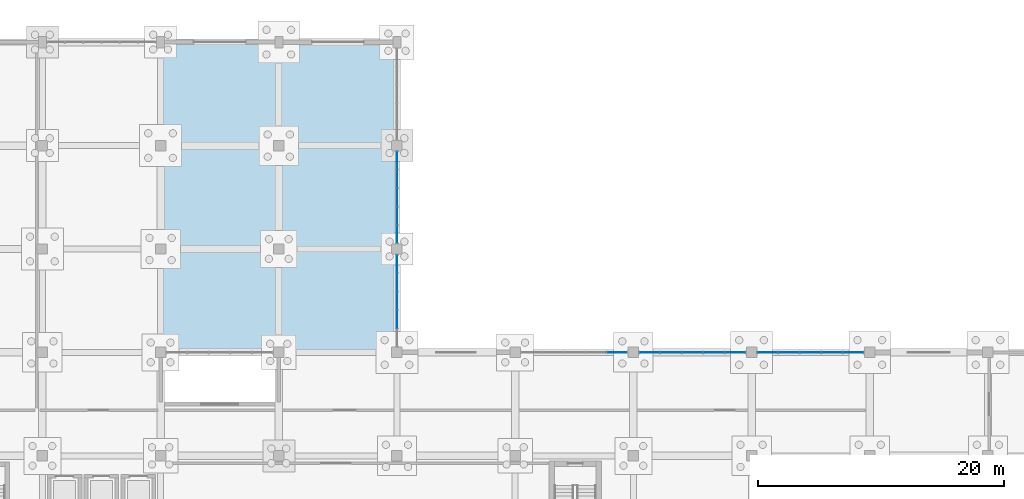
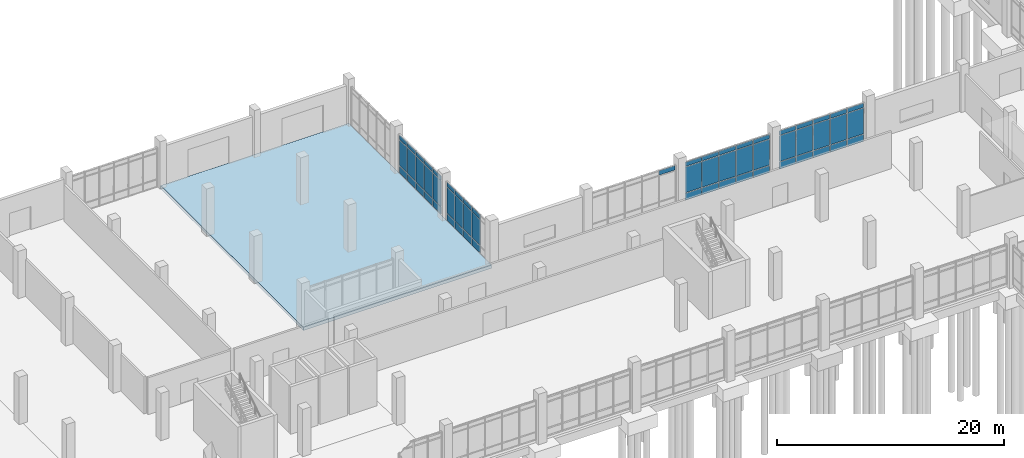
# One storey, part 81 of 136: 58 plates, 1 slab, 5 elements without a shape of their own.
"""IFC4 building model written with IfcOpenShell, lengths in metres."""

from ifc_helpers import new_model, si_unit, direction, frame, origin, origin_2d, place, context, subcontext, project, spatial, polyline, rectangle, outline, extrude, material, layer, layer_set, type_object, element, aggregate, save


model = new_model("IFC4")

# Units and contexts
model_context = context("Model", 3, precision=1e-05, world=origin(), true_north=direction((0.0, 1.0)))
body_context = subcontext(model_context, "Body", "Model", "MODEL_VIEW")
ifc_project = project(units=[si_unit("LENGTHUNIT", "METRE"), si_unit("AREAUNIT", "SQUARE_METRE"), si_unit("VOLUMEUNIT", "CUBIC_METRE"), si_unit("PLANEANGLEUNIT", "RADIAN"), si_unit("MASSUNIT", "GRAM", prefix="KILO")], contexts=[model_context])

# Site, building, storey
site_placement = place(None, origin())
site = spatial("IfcSite", under=ifc_project, at=site_placement, CompositionType="ELEMENT")
building_placement = place(site_placement, origin())
building = spatial("IfcBuilding", under=site, at=building_placement, Name="Oolite Switchyard Hospital", CompositionType="ELEMENT")
storey_placement = place(building_placement, origin())
storey = spatial("IfcBuildingStorey", under=building, at=storey_placement, Name="L00", CompositionType="ELEMENT", Elevation=0.0)

# Curtain wall, plates
ifc_material_1 = material(Name="Thermally broken aluminum frame with laminated impact glazing", Category="aluminium")
curtain_wall_type_1 = type_object("IfcCurtainWallType", Name="CW-UNIT-96X51", PredefinedType="USERDEFINED", material=ifc_material_1)
curtain_wall_1_placement = place(storey_placement, origin())
curtain_wall_1 = element("IfcCurtainWall", 1, at=curtain_wall_1_placement, inside=storey, type_object=curtain_wall_type_1, Name="L00 Unitised Curtain Wall 43", ObjectType="UNITISED", PredefinedType="USERDEFINED")
ifc_material_2 = material(Name="Insulated fluoropolymer-coated aluminum spandrel panel", Category="aluminium")
ifc_layer_1 = layer(ifc_material_2, 0.054931640625)
ifc_layer_set_1 = layer_set([ifc_layer_1], Name="CW-PNL-SPN55")
plate_type_1 = type_object("IfcPlateType", Name="CW-PNL-SPN55", PredefinedType="CURTAIN_PANEL", material=ifc_layer_set_1)
plate_1_placement = place(storey_placement, frame((97.32958984375, 109.199951171875, 0.0751953125), z_axis=(0.0, 0.0, 1.0), x_axis=(1.0, 0.0, 0.0)))
plate_1 = element("IfcPlate", 2, at=plate_1_placement, type_object=plate_type_1, Name="CW-01 panel 1.1", PredefinedType="CURTAIN_PANEL", context=body_context, shape_type="SweptSolid", body=[
    extrude(rectangle(XDim=1.638916015625, YDim=0.054931640625, at=origin_2d()), origin(), (0.0, 0.0, 1.0), 0.737548828125),
])
plate_2_placement = place(storey_placement, frame((97.32958984375, 109.199951171875, 0.8876953125), z_axis=(0.0, 0.0, 1.0), x_axis=(1.0, 0.0, 0.0)))
plate_2 = element("IfcPlate", 3, at=plate_2_placement, type_object=plate_type_1, Name="CW-01 panel 1.2", PredefinedType="CURTAIN_PANEL", context=body_context, shape_type="SweptSolid", body=[
    extrude(rectangle(XDim=1.638916015625, YDim=0.054931640625, at=origin_2d()), origin(), (0.0, 0.0, 1.0), 2.764892578125),
])
plate_3_placement = place(storey_placement, frame((97.32958984375, 109.199951171875, 3.7275390625), z_axis=(0.0, 0.0, 1.0), x_axis=(1.0, 0.0, 0.0)))
plate_3 = element("IfcPlate", 4, at=plate_3_placement, type_object=plate_type_1, Name="CW-01 panel 1.3", PredefinedType="CURTAIN_PANEL", context=body_context, shape_type="SweptSolid", body=[
    extrude(rectangle(XDim=1.638916015625, YDim=0.054931640625, at=origin_2d()), origin(), (0.0, 0.0, 1.0), 0.4375),
])
plate_4_placement = place(storey_placement, frame((99.055908203125, 109.199951171875, 0.0751953125), z_axis=(0.0, 0.0, 1.0), x_axis=(1.0, 0.0, 0.0)))
plate_4 = element("IfcPlate", 5, at=plate_4_placement, type_object=plate_type_1, Name="CW-01 panel 2.1", PredefinedType="CURTAIN_PANEL", context=body_context, shape_type="SweptSolid", body=[
    extrude(rectangle(XDim=1.674072265625, YDim=0.054931640625, at=origin_2d()), origin(), (0.0, 0.0, 1.0), 0.737548828125),
])
plate_5_placement = place(storey_placement, frame((99.055908203125, 109.199951171875, 0.8876953125), z_axis=(0.0, 0.0, 1.0), x_axis=(1.0, 0.0, 0.0)))
plate_5 = element("IfcPlate", 6, at=plate_5_placement, type_object=plate_type_1, Name="CW-01 panel 2.2", PredefinedType="CURTAIN_PANEL", context=body_context, shape_type="SweptSolid", body=[
    extrude(rectangle(XDim=1.674072265625, YDim=0.054931640625, at=origin_2d()), origin(), (0.0, 0.0, 1.0), 2.764892578125),
])
plate_6_placement = place(storey_placement, frame((99.055908203125, 109.199951171875, 3.7275390625), z_axis=(0.0, 0.0, 1.0), x_axis=(1.0, 0.0, 0.0)))
plate_6 = element("IfcPlate", 7, at=plate_6_placement, type_object=plate_type_1, Name="CW-01 panel 2.3", PredefinedType="CURTAIN_PANEL", context=body_context, shape_type="SweptSolid", body=[
    extrude(rectangle(XDim=1.674072265625, YDim=0.054931640625, at=origin_2d()), origin(), (0.0, 0.0, 1.0), 0.4375),
])
plate_7_placement = place(storey_placement, frame((100.800048828125, 109.199951171875, 0.0751953125), z_axis=(0.0, 0.0, 1.0), x_axis=(1.0, 0.0, 0.0)))
plate_7 = element("IfcPlate", 8, at=plate_7_placement, type_object=plate_type_1, Name="CW-01 panel 3.1", PredefinedType="CURTAIN_PANEL", context=body_context, shape_type="SweptSolid", body=[
    extrude(rectangle(XDim=1.674072265625, YDim=0.054931640625, at=origin_2d()), origin(), (0.0, 0.0, 1.0), 0.737548828125),
])
plate_8_placement = place(storey_placement, frame((100.800048828125, 109.199951171875, 0.8876953125), z_axis=(0.0, 0.0, 1.0), x_axis=(1.0, 0.0, 0.0)))
plate_8 = element("IfcPlate", 9, at=plate_8_placement, type_object=plate_type_1, Name="CW-01 panel 3.2", PredefinedType="CURTAIN_PANEL", context=body_context, shape_type="SweptSolid", body=[
    extrude(rectangle(XDim=1.674072265625, YDim=0.054931640625, at=origin_2d()), origin(), (0.0, 0.0, 1.0), 2.764892578125),
])
plate_9_placement = place(storey_placement, frame((100.800048828125, 109.199951171875, 3.7275390625), z_axis=(0.0, 0.0, 1.0), x_axis=(1.0, 0.0, 0.0)))
plate_9 = element("IfcPlate", 10, at=plate_9_placement, type_object=plate_type_1, Name="CW-01 panel 3.3", PredefinedType="CURTAIN_PANEL", context=body_context, shape_type="SweptSolid", body=[
    extrude(rectangle(XDim=1.674072265625, YDim=0.054931640625, at=origin_2d()), origin(), (0.0, 0.0, 1.0), 0.4375),
])
plate_10_placement = place(storey_placement, frame((102.5439453125, 109.199951171875, 0.0751953125), z_axis=(0.0, 0.0, 1.0), x_axis=(1.0, 0.0, 0.0)))
plate_10 = element("IfcPlate", 11, at=plate_10_placement, type_object=plate_type_1, Name="CW-01 panel 4.1", PredefinedType="CURTAIN_PANEL", context=body_context, shape_type="SweptSolid", body=[
    extrude(rectangle(XDim=1.674072265625, YDim=0.054931640625, at=origin_2d()), origin(), (0.0, 0.0, 1.0), 0.737548828125),
])
plate_11_placement = place(storey_placement, frame((102.5439453125, 109.199951171875, 0.8876953125), z_axis=(0.0, 0.0, 1.0), x_axis=(1.0, 0.0, 0.0)))
plate_11 = element("IfcPlate", 12, at=plate_11_placement, type_object=plate_type_1, Name="CW-01 panel 4.2", PredefinedType="CURTAIN_PANEL", context=body_context, shape_type="SweptSolid", body=[
    extrude(rectangle(XDim=1.674072265625, YDim=0.054931640625, at=origin_2d()), origin(), (0.0, 0.0, 1.0), 2.764892578125),
])
plate_12_placement = place(storey_placement, frame((102.5439453125, 109.199951171875, 3.7275390625), z_axis=(0.0, 0.0, 1.0), x_axis=(1.0, 0.0, 0.0)))
plate_12 = element("IfcPlate", 13, at=plate_12_placement, type_object=plate_type_1, Name="CW-01 panel 4.3", PredefinedType="CURTAIN_PANEL", context=body_context, shape_type="SweptSolid", body=[
    extrude(rectangle(XDim=1.674072265625, YDim=0.054931640625, at=origin_2d()), origin(), (0.0, 0.0, 1.0), 0.4375),
])
plate_13_placement = place(storey_placement, frame((104.2705078125, 109.199951171875, 0.0751953125), z_axis=(0.0, 0.0, 1.0), x_axis=(1.0, 0.0, 0.0)))
plate_13 = element("IfcPlate", 14, at=plate_13_placement, type_object=plate_type_1, Name="CW-01 panel 5.1", PredefinedType="CURTAIN_PANEL", context=body_context, shape_type="SweptSolid", body=[
    extrude(rectangle(XDim=1.638916015625, YDim=0.054931640625, at=origin_2d()), origin(), (0.0, 0.0, 1.0), 0.737548828125),
])
plate_14_placement = place(storey_placement, frame((104.2705078125, 109.199951171875, 0.8876953125), z_axis=(0.0, 0.0, 1.0), x_axis=(1.0, 0.0, 0.0)))
plate_14 = element("IfcPlate", 15, at=plate_14_placement, type_object=plate_type_1, Name="CW-01 panel 5.2", PredefinedType="CURTAIN_PANEL", context=body_context, shape_type="SweptSolid", body=[
    extrude(rectangle(XDim=1.638916015625, YDim=0.054931640625, at=origin_2d()), origin(), (0.0, 0.0, 1.0), 2.764892578125),
])
plate_15_placement = place(storey_placement, frame((104.2705078125, 109.199951171875, 3.7275390625), z_axis=(0.0, 0.0, 1.0), x_axis=(1.0, 0.0, 0.0)))
plate_15 = element("IfcPlate", 16, at=plate_15_placement, type_object=plate_type_1, Name="CW-01 panel 5.3", PredefinedType="CURTAIN_PANEL", context=body_context, shape_type="SweptSolid", body=[
    extrude(rectangle(XDim=1.638916015625, YDim=0.054931640625, at=origin_2d()), origin(), (0.0, 0.0, 1.0), 0.4375),
])
aggregate(curtain_wall_1, [plate_1, plate_2, plate_3, plate_4, plate_5, plate_6, plate_7, plate_8, plate_9, plate_10, plate_11, plate_12, plate_13, plate_14, plate_15])

curtain_wall_2_placement = place(storey_placement, origin())
curtain_wall_2 = element("IfcCurtainWall", 17, at=curtain_wall_2_placement, inside=storey, type_object=curtain_wall_type_1, Name="L00 Unitised Curtain Wall 44", ObjectType="UNITISED", PredefinedType="USERDEFINED")
ifc_material_3 = material(Name="Laminated hurricane-impact insulated glazing unit", Category="glass")
ifc_layer_2 = layer(ifc_material_3, 0.028076171875)
ifc_layer_set_2 = layer_set([ifc_layer_2], Name="CW-PNL-VIS28")
plate_type_2 = type_object("IfcPlateType", Name="CW-PNL-VIS28", PredefinedType="CURTAIN_PANEL", material=ifc_layer_set_2)
plate_16_placement = place(storey_placement, frame((106.9306640625, 109.199951171875, 0.06005859375), z_axis=(0.0, 0.0, 1.0), x_axis=(1.0, 0.0, 0.0)))
plate_16 = element("IfcPlate", 18, at=plate_16_placement, type_object=plate_type_2, Name="CW-01 panel 1.1", PredefinedType="CURTAIN_PANEL", context=body_context, shape_type="SweptSolid", body=[
    extrude(rectangle(XDim=1.631591796875, YDim=0.028076171875, at=origin_2d()), origin(), (0.0, 0.0, 1.0), 0.760009765625),
])
plate_17_placement = place(storey_placement, frame((106.9306640625, 109.199951171875, 0.8798828125), z_axis=(0.0, 0.0, 1.0), x_axis=(1.0, 0.0, 0.0)))
plate_17 = element("IfcPlate", 19, at=plate_17_placement, type_object=plate_type_2, Name="CW-01 panel 1.2", PredefinedType="CURTAIN_PANEL", context=body_context, shape_type="SweptSolid", body=[
    extrude(rectangle(XDim=1.631591796875, YDim=0.028076171875, at=origin_2d()), origin(), (0.0, 0.0, 1.0), 2.780029296875),
])
plate_18_placement = place(storey_placement, frame((106.9306640625, 109.199951171875, 3.719970703125), z_axis=(0.0, 0.0, 1.0), x_axis=(1.0, 0.0, 0.0)))
plate_18 = element("IfcPlate", 20, at=plate_18_placement, type_object=plate_type_2, Name="CW-01 panel 1.3", PredefinedType="CURTAIN_PANEL", context=body_context, shape_type="SweptSolid", body=[
    extrude(rectangle(XDim=1.631591796875, YDim=0.028076171875, at=origin_2d()), origin(), (0.0, 0.0, 1.0), 0.4599609375),
])
plate_19_placement = place(storey_placement, frame((108.656005859375, 109.199951171875, 0.06005859375), z_axis=(0.0, 0.0, 1.0), x_axis=(1.0, 0.0, 0.0)))
plate_19 = element("IfcPlate", 21, at=plate_19_placement, type_object=plate_type_2, Name="CW-01 panel 2.1", PredefinedType="CURTAIN_PANEL", context=body_context, shape_type="SweptSolid", body=[
    extrude(rectangle(XDim=1.6689453125, YDim=0.028076171875, at=origin_2d()), origin(), (0.0, 0.0, 1.0), 0.760009765625),
])
plate_20_placement = place(storey_placement, frame((108.656005859375, 109.199951171875, 0.8798828125), z_axis=(0.0, 0.0, 1.0), x_axis=(1.0, 0.0, 0.0)))
plate_20 = element("IfcPlate", 22, at=plate_20_placement, type_object=plate_type_2, Name="CW-01 panel 2.2", PredefinedType="CURTAIN_PANEL", context=body_context, shape_type="SweptSolid", body=[
    extrude(rectangle(XDim=1.6689453125, YDim=0.028076171875, at=origin_2d()), origin(), (0.0, 0.0, 1.0), 2.780029296875),
])
plate_21_placement = place(storey_placement, frame((108.656005859375, 109.199951171875, 3.719970703125), z_axis=(0.0, 0.0, 1.0), x_axis=(1.0, 0.0, 0.0)))
plate_21 = element("IfcPlate", 23, at=plate_21_placement, type_object=plate_type_2, Name="CW-01 panel 2.3", PredefinedType="CURTAIN_PANEL", context=body_context, shape_type="SweptSolid", body=[
    extrude(rectangle(XDim=1.6689453125, YDim=0.028076171875, at=origin_2d()), origin(), (0.0, 0.0, 1.0), 0.4599609375),
])
plate_22_placement = place(storey_placement, frame((110.39990234375, 109.199951171875, 0.06005859375), z_axis=(0.0, 0.0, 1.0), x_axis=(1.0, 0.0, 0.0)))
plate_22 = element("IfcPlate", 24, at=plate_22_placement, type_object=plate_type_2, Name="CW-01 panel 3.1", PredefinedType="CURTAIN_PANEL", context=body_context, shape_type="SweptSolid", body=[
    extrude(rectangle(XDim=1.6689453125, YDim=0.028076171875, at=origin_2d()), origin(), (0.0, 0.0, 1.0), 0.760009765625),
])
plate_23_placement = place(storey_placement, frame((110.39990234375, 109.199951171875, 0.8798828125), z_axis=(0.0, 0.0, 1.0), x_axis=(1.0, 0.0, 0.0)))
plate_23 = element("IfcPlate", 25, at=plate_23_placement, type_object=plate_type_2, Name="CW-01 panel 3.2", PredefinedType="CURTAIN_PANEL", context=body_context, shape_type="SweptSolid", body=[
    extrude(rectangle(XDim=1.6689453125, YDim=0.028076171875, at=origin_2d()), origin(), (0.0, 0.0, 1.0), 2.780029296875),
])
plate_24_placement = place(storey_placement, frame((110.39990234375, 109.199951171875, 3.719970703125), z_axis=(0.0, 0.0, 1.0), x_axis=(1.0, 0.0, 0.0)))
plate_24 = element("IfcPlate", 26, at=plate_24_placement, type_object=plate_type_2, Name="CW-01 panel 3.3", PredefinedType="CURTAIN_PANEL", context=body_context, shape_type="SweptSolid", body=[
    extrude(rectangle(XDim=1.6689453125, YDim=0.028076171875, at=origin_2d()), origin(), (0.0, 0.0, 1.0), 0.4599609375),
])
plate_25_placement = place(storey_placement, frame((112.14404296875, 109.199951171875, 0.06005859375), z_axis=(0.0, 0.0, 1.0), x_axis=(1.0, 0.0, 0.0)))
plate_25 = element("IfcPlate", 27, at=plate_25_placement, type_object=plate_type_2, Name="CW-01 panel 4.1", PredefinedType="CURTAIN_PANEL", context=body_context, shape_type="SweptSolid", body=[
    extrude(rectangle(XDim=1.6689453125, YDim=0.028076171875, at=origin_2d()), origin(), (0.0, 0.0, 1.0), 0.760009765625),
])
plate_26_placement = place(storey_placement, frame((112.14404296875, 109.199951171875, 0.8798828125), z_axis=(0.0, 0.0, 1.0), x_axis=(1.0, 0.0, 0.0)))
plate_26 = element("IfcPlate", 28, at=plate_26_placement, type_object=plate_type_2, Name="CW-01 panel 4.2", PredefinedType="CURTAIN_PANEL", context=body_context, shape_type="SweptSolid", body=[
    extrude(rectangle(XDim=1.6689453125, YDim=0.028076171875, at=origin_2d()), origin(), (0.0, 0.0, 1.0), 2.780029296875),
])
plate_27_placement = place(storey_placement, frame((112.14404296875, 109.199951171875, 3.719970703125), z_axis=(0.0, 0.0, 1.0), x_axis=(1.0, 0.0, 0.0)))
plate_27 = element("IfcPlate", 29, at=plate_27_placement, type_object=plate_type_2, Name="CW-01 panel 4.3", PredefinedType="CURTAIN_PANEL", context=body_context, shape_type="SweptSolid", body=[
    extrude(rectangle(XDim=1.6689453125, YDim=0.028076171875, at=origin_2d()), origin(), (0.0, 0.0, 1.0), 0.4599609375),
])
plate_28_placement = place(storey_placement, frame((113.869140625, 109.199951171875, 0.06005859375), z_axis=(0.0, 0.0, 1.0), x_axis=(1.0, 0.0, 0.0)))
plate_28 = element("IfcPlate", 30, at=plate_28_placement, type_object=plate_type_2, Name="CW-01 panel 5.1", PredefinedType="CURTAIN_PANEL", context=body_context, shape_type="SweptSolid", body=[
    extrude(rectangle(XDim=1.631591796875, YDim=0.028076171875, at=origin_2d()), origin(), (0.0, 0.0, 1.0), 0.760009765625),
])
plate_29_placement = place(storey_placement, frame((113.869140625, 109.199951171875, 0.8798828125), z_axis=(0.0, 0.0, 1.0), x_axis=(1.0, 0.0, 0.0)))
plate_29 = element("IfcPlate", 31, at=plate_29_placement, type_object=plate_type_2, Name="CW-01 panel 5.2", PredefinedType="CURTAIN_PANEL", context=body_context, shape_type="SweptSolid", body=[
    extrude(rectangle(XDim=1.631591796875, YDim=0.028076171875, at=origin_2d()), origin(), (0.0, 0.0, 1.0), 2.780029296875),
])
plate_30_placement = place(storey_placement, frame((113.869140625, 109.199951171875, 3.719970703125), z_axis=(0.0, 0.0, 1.0), x_axis=(1.0, 0.0, 0.0)))
plate_30 = element("IfcPlate", 32, at=plate_30_placement, type_object=plate_type_2, Name="CW-01 panel 5.3", PredefinedType="CURTAIN_PANEL", context=body_context, shape_type="SweptSolid", body=[
    extrude(rectangle(XDim=1.631591796875, YDim=0.028076171875, at=origin_2d()), origin(), (0.0, 0.0, 1.0), 0.4599609375),
])
aggregate(curtain_wall_2, [plate_16, plate_17, plate_18, plate_19, plate_20, plate_21, plate_22, plate_23, plate_24, plate_25, plate_26, plate_27, plate_28, plate_29, plate_30])

curtain_wall_type_2 = type_object("IfcCurtainWallType", Name="CW-UNIT-84X51", PredefinedType="USERDEFINED", material=ifc_material_1)
curtain_wall_3_placement = place(storey_placement, origin())
curtain_wall_3 = element("IfcCurtainWall", 33, at=curtain_wall_3_placement, inside=storey, type_object=curtain_wall_type_2, Name="L00 Unitised Curtain Wall 64", ObjectType="UNITISED", PredefinedType="USERDEFINED")
plate_31_placement = place(storey_placement, frame((76.800048828125, 116.390380859375, 0.06005859375), z_axis=(0.0, 0.0, 1.0), x_axis=(0.0, -1.0, 0.0)))
plate_31 = element("IfcPlate", 34, at=plate_31_placement, type_object=plate_type_2, Name="CW-06 panel 1.1", PredefinedType="CURTAIN_PANEL", context=body_context, shape_type="SweptSolid", body=[
    extrude(rectangle(XDim=1.39892578125, YDim=0.028076171875, at=origin_2d()), origin(), (0.0, 0.0, 1.0), 0.760009765625),
])
plate_32_placement = place(storey_placement, frame((76.800048828125, 116.390380859375, 0.8798828125), z_axis=(0.0, 0.0, 1.0), x_axis=(0.0, -1.0, 0.0)))
plate_32 = element("IfcPlate", 35, at=plate_32_placement, type_object=plate_type_2, Name="CW-06 panel 1.2", PredefinedType="CURTAIN_PANEL", context=body_context, shape_type="SweptSolid", body=[
    extrude(rectangle(XDim=1.39892578125, YDim=0.028076171875, at=origin_2d()), origin(), (0.0, 0.0, 1.0), 2.780029296875),
])
plate_33_placement = place(storey_placement, frame((76.800048828125, 116.390380859375, 3.719970703125), z_axis=(0.0, 0.0, 1.0), x_axis=(0.0, -1.0, 0.0)))
plate_33 = element("IfcPlate", 36, at=plate_33_placement, type_object=plate_type_2, Name="CW-06 panel 1.3", PredefinedType="CURTAIN_PANEL", context=body_context, shape_type="SweptSolid", body=[
    extrude(rectangle(XDim=1.39892578125, YDim=0.028076171875, at=origin_2d()), origin(), (0.0, 0.0, 1.0), 0.4599609375),
])
plate_34_placement = place(storey_placement, frame((76.800048828125, 114.904052734375, 0.06005859375), z_axis=(0.0, 0.0, 1.0), x_axis=(0.0, -1.0, 0.0)))
plate_34 = element("IfcPlate", 37, at=plate_34_placement, type_object=plate_type_2, Name="CW-06 panel 2.1", PredefinedType="CURTAIN_PANEL", context=body_context, shape_type="SweptSolid", body=[
    extrude(rectangle(XDim=1.43408203125, YDim=0.028076171875, at=origin_2d()), origin(), (0.0, 0.0, 1.0), 0.760009765625),
])
plate_35_placement = place(storey_placement, frame((76.800048828125, 114.904052734375, 0.8798828125), z_axis=(0.0, 0.0, 1.0), x_axis=(0.0, -1.0, 0.0)))
plate_35 = element("IfcPlate", 38, at=plate_35_placement, type_object=plate_type_2, Name="CW-06 panel 2.2", PredefinedType="CURTAIN_PANEL", context=body_context, shape_type="SweptSolid", body=[
    extrude(rectangle(XDim=1.43408203125, YDim=0.028076171875, at=origin_2d()), origin(), (0.0, 0.0, 1.0), 2.780029296875),
])
plate_36_placement = place(storey_placement, frame((76.800048828125, 114.904052734375, 3.719970703125), z_axis=(0.0, 0.0, 1.0), x_axis=(0.0, -1.0, 0.0)))
plate_36 = element("IfcPlate", 39, at=plate_36_placement, type_object=plate_type_2, Name="CW-06 panel 2.3", PredefinedType="CURTAIN_PANEL", context=body_context, shape_type="SweptSolid", body=[
    extrude(rectangle(XDim=1.43408203125, YDim=0.028076171875, at=origin_2d()), origin(), (0.0, 0.0, 1.0), 0.4599609375),
])
plate_37_placement = place(storey_placement, frame((76.800048828125, 113.39990234375, 0.06005859375), z_axis=(0.0, 0.0, 1.0), x_axis=(0.0, -1.0, 0.0)))
plate_37 = element("IfcPlate", 40, at=plate_37_placement, type_object=plate_type_2, Name="CW-06 panel 3.1", PredefinedType="CURTAIN_PANEL", context=body_context, shape_type="SweptSolid", body=[
    extrude(rectangle(XDim=1.43408203125, YDim=0.028076171875, at=origin_2d()), origin(), (0.0, 0.0, 1.0), 0.760009765625),
])
plate_38_placement = place(storey_placement, frame((76.800048828125, 113.39990234375, 0.8798828125), z_axis=(0.0, 0.0, 1.0), x_axis=(0.0, -1.0, 0.0)))
plate_38 = element("IfcPlate", 41, at=plate_38_placement, type_object=plate_type_2, Name="CW-06 panel 3.2", PredefinedType="CURTAIN_PANEL", context=body_context, shape_type="SweptSolid", body=[
    extrude(rectangle(XDim=1.43408203125, YDim=0.028076171875, at=origin_2d()), origin(), (0.0, 0.0, 1.0), 2.780029296875),
])
plate_39_placement = place(storey_placement, frame((76.800048828125, 113.39990234375, 3.719970703125), z_axis=(0.0, 0.0, 1.0), x_axis=(0.0, -1.0, 0.0)))
plate_39 = element("IfcPlate", 42, at=plate_39_placement, type_object=plate_type_2, Name="CW-06 panel 3.3", PredefinedType="CURTAIN_PANEL", context=body_context, shape_type="SweptSolid", body=[
    extrude(rectangle(XDim=1.43408203125, YDim=0.028076171875, at=origin_2d()), origin(), (0.0, 0.0, 1.0), 0.4599609375),
])
plate_40_placement = place(storey_placement, frame((76.800048828125, 111.89599609375, 0.06005859375), z_axis=(0.0, 0.0, 1.0), x_axis=(0.0, -1.0, 0.0)))
plate_40 = element("IfcPlate", 43, at=plate_40_placement, type_object=plate_type_2, Name="CW-06 panel 4.1", PredefinedType="CURTAIN_PANEL", context=body_context, shape_type="SweptSolid", body=[
    extrude(rectangle(XDim=1.43408203125, YDim=0.028076171875, at=origin_2d()), origin(), (0.0, 0.0, 1.0), 0.760009765625),
])
plate_41_placement = place(storey_placement, frame((76.800048828125, 111.89599609375, 0.8798828125), z_axis=(0.0, 0.0, 1.0), x_axis=(0.0, -1.0, 0.0)))
plate_41 = element("IfcPlate", 44, at=plate_41_placement, type_object=plate_type_2, Name="CW-06 panel 4.2", PredefinedType="CURTAIN_PANEL", context=body_context, shape_type="SweptSolid", body=[
    extrude(rectangle(XDim=1.43408203125, YDim=0.028076171875, at=origin_2d()), origin(), (0.0, 0.0, 1.0), 2.780029296875),
])
plate_42_placement = place(storey_placement, frame((76.800048828125, 111.89599609375, 3.719970703125), z_axis=(0.0, 0.0, 1.0), x_axis=(0.0, -1.0, 0.0)))
plate_42 = element("IfcPlate", 45, at=plate_42_placement, type_object=plate_type_2, Name="CW-06 panel 4.3", PredefinedType="CURTAIN_PANEL", context=body_context, shape_type="SweptSolid", body=[
    extrude(rectangle(XDim=1.43408203125, YDim=0.028076171875, at=origin_2d()), origin(), (0.0, 0.0, 1.0), 0.4599609375),
])
aggregate(curtain_wall_3, [plate_31, plate_32, plate_33, plate_34, plate_35, plate_36, plate_37, plate_38, plate_39, plate_40, plate_41, plate_42])

# Curtain wall, plate
curtain_wall_4_placement = place(storey_placement, origin())
curtain_wall_4 = element("IfcCurtainWall", 46, at=curtain_wall_4_placement, inside=storey, type_object=curtain_wall_type_1, Name="L00 Unitised Curtain Wall 42", ObjectType="UNITISED", PredefinedType="USERDEFINED")
ifc_layer_3 = layer(ifc_material_3, 0.035888671875)
ifc_layer_set_3 = layer_set([ifc_layer_3], Name="CW-PNL-VIS36")
plate_type_3 = type_object("IfcPlateType", Name="CW-PNL-VIS36", PredefinedType="CURTAIN_PANEL", material=ifc_layer_set_3)
plate_43_placement = place(storey_placement, frame((94.673095703125, 109.199951171875, 3.719970703125), z_axis=(0.0, 0.0, 1.0), x_axis=(1.0, 0.0, 0.0)))
plate_43 = element("IfcPlate", 47, at=plate_43_placement, type_object=plate_type_3, Name="CW-01 panel 5.3", PredefinedType="CURTAIN_PANEL", context=body_context, shape_type="SweptSolid", body=[
    extrude(rectangle(XDim=1.654052734375, YDim=0.035888671875, at=origin_2d()), origin(), (0.0, 0.0, 1.0), 0.4599609375),
])
aggregate(curtain_wall_4, [plate_43])

# Curtain wall, plates
curtain_wall_5_placement = place(storey_placement, origin())
curtain_wall_5 = element("IfcCurtainWall", 48, at=curtain_wall_5_placement, inside=storey, type_object=curtain_wall_type_2, Name="L00 Unitised Curtain Wall 65", ObjectType="UNITISED", PredefinedType="USERDEFINED")
plate_44_placement = place(storey_placement, frame((76.800048828125, 124.789306640625, 0.0751953125), z_axis=(0.0, 0.0, 1.0), x_axis=(0.0, -1.0, 0.0)))
plate_44 = element("IfcPlate", 49, at=plate_44_placement, type_object=plate_type_3, Name="CW-06 panel 1.1", PredefinedType="CURTAIN_PANEL", context=body_context, shape_type="SweptSolid", body=[
    extrude(rectangle(XDim=1.3916015625, YDim=0.035888671875, at=origin_2d()), origin(), (0.0, 0.0, 1.0), 0.737548828125),
])
plate_45_placement = place(storey_placement, frame((76.800048828125, 124.789306640625, 0.8876953125), z_axis=(0.0, 0.0, 1.0), x_axis=(0.0, -1.0, 0.0)))
plate_45 = element("IfcPlate", 50, at=plate_45_placement, type_object=plate_type_3, Name="CW-06 panel 1.2", PredefinedType="CURTAIN_PANEL", context=body_context, shape_type="SweptSolid", body=[
    extrude(rectangle(XDim=1.3916015625, YDim=0.035888671875, at=origin_2d()), origin(), (0.0, 0.0, 1.0), 2.764892578125),
])
plate_46_placement = place(storey_placement, frame((76.800048828125, 124.789306640625, 3.7275390625), z_axis=(0.0, 0.0, 1.0), x_axis=(0.0, -1.0, 0.0)))
plate_46 = element("IfcPlate", 51, at=plate_46_placement, type_object=plate_type_3, Name="CW-06 panel 1.3", PredefinedType="CURTAIN_PANEL", context=body_context, shape_type="SweptSolid", body=[
    extrude(rectangle(XDim=1.3916015625, YDim=0.035888671875, at=origin_2d()), origin(), (0.0, 0.0, 1.0), 0.4375),
])
plate_47_placement = place(storey_placement, frame((76.800048828125, 123.303955078125, 0.0751953125), z_axis=(0.0, 0.0, 1.0), x_axis=(0.0, -1.0, 0.0)))
plate_47 = element("IfcPlate", 52, at=plate_47_placement, type_object=plate_type_3, Name="CW-06 panel 2.1", PredefinedType="CURTAIN_PANEL", context=body_context, shape_type="SweptSolid", body=[
    extrude(rectangle(XDim=1.428955078125, YDim=0.035888671875, at=origin_2d()), origin(), (0.0, 0.0, 1.0), 0.737548828125),
])
plate_48_placement = place(storey_placement, frame((76.800048828125, 123.303955078125, 0.8876953125), z_axis=(0.0, 0.0, 1.0), x_axis=(0.0, -1.0, 0.0)))
plate_48 = element("IfcPlate", 53, at=plate_48_placement, type_object=plate_type_3, Name="CW-06 panel 2.2", PredefinedType="CURTAIN_PANEL", context=body_context, shape_type="SweptSolid", body=[
    extrude(rectangle(XDim=1.428955078125, YDim=0.035888671875, at=origin_2d()), origin(), (0.0, 0.0, 1.0), 2.764892578125),
])
plate_49_placement = place(storey_placement, frame((76.800048828125, 123.303955078125, 3.7275390625), z_axis=(0.0, 0.0, 1.0), x_axis=(0.0, -1.0, 0.0)))
plate_49 = element("IfcPlate", 54, at=plate_49_placement, type_object=plate_type_3, Name="CW-06 panel 2.3", PredefinedType="CURTAIN_PANEL", context=body_context, shape_type="SweptSolid", body=[
    extrude(rectangle(XDim=1.428955078125, YDim=0.035888671875, at=origin_2d()), origin(), (0.0, 0.0, 1.0), 0.4375),
])
plate_50_placement = place(storey_placement, frame((76.800048828125, 121.800048828125, 0.0751953125), z_axis=(0.0, 0.0, 1.0), x_axis=(0.0, -1.0, 0.0)))
plate_50 = element("IfcPlate", 55, at=plate_50_placement, type_object=plate_type_3, Name="CW-06 panel 3.1", PredefinedType="CURTAIN_PANEL", context=body_context, shape_type="SweptSolid", body=[
    extrude(rectangle(XDim=1.428955078125, YDim=0.035888671875, at=origin_2d()), origin(), (0.0, 0.0, 1.0), 0.737548828125),
])
plate_51_placement = place(storey_placement, frame((76.800048828125, 121.800048828125, 0.8876953125), z_axis=(0.0, 0.0, 1.0), x_axis=(0.0, -1.0, 0.0)))
plate_51 = element("IfcPlate", 56, at=plate_51_placement, type_object=plate_type_3, Name="CW-06 panel 3.2", PredefinedType="CURTAIN_PANEL", context=body_context, shape_type="SweptSolid", body=[
    extrude(rectangle(XDim=1.428955078125, YDim=0.035888671875, at=origin_2d()), origin(), (0.0, 0.0, 1.0), 2.764892578125),
])
plate_52_placement = place(storey_placement, frame((76.800048828125, 121.800048828125, 3.7275390625), z_axis=(0.0, 0.0, 1.0), x_axis=(0.0, -1.0, 0.0)))
plate_52 = element("IfcPlate", 57, at=plate_52_placement, type_object=plate_type_3, Name="CW-06 panel 3.3", PredefinedType="CURTAIN_PANEL", context=body_context, shape_type="SweptSolid", body=[
    extrude(rectangle(XDim=1.428955078125, YDim=0.035888671875, at=origin_2d()), origin(), (0.0, 0.0, 1.0), 0.4375),
])
plate_53_placement = place(storey_placement, frame((76.800048828125, 120.2958984375, 0.0751953125), z_axis=(0.0, 0.0, 1.0), x_axis=(0.0, -1.0, 0.0)))
plate_53 = element("IfcPlate", 58, at=plate_53_placement, type_object=plate_type_3, Name="CW-06 panel 4.1", PredefinedType="CURTAIN_PANEL", context=body_context, shape_type="SweptSolid", body=[
    extrude(rectangle(XDim=1.428955078125, YDim=0.035888671875, at=origin_2d()), origin(), (0.0, 0.0, 1.0), 0.737548828125),
])
plate_54_placement = place(storey_placement, frame((76.800048828125, 120.2958984375, 0.8876953125), z_axis=(0.0, 0.0, 1.0), x_axis=(0.0, -1.0, 0.0)))
plate_54 = element("IfcPlate", 59, at=plate_54_placement, type_object=plate_type_3, Name="CW-06 panel 4.2", PredefinedType="CURTAIN_PANEL", context=body_context, shape_type="SweptSolid", body=[
    extrude(rectangle(XDim=1.428955078125, YDim=0.035888671875, at=origin_2d()), origin(), (0.0, 0.0, 1.0), 2.764892578125),
])
plate_55_placement = place(storey_placement, frame((76.800048828125, 120.2958984375, 3.7275390625), z_axis=(0.0, 0.0, 1.0), x_axis=(0.0, -1.0, 0.0)))
plate_55 = element("IfcPlate", 60, at=plate_55_placement, type_object=plate_type_3, Name="CW-06 panel 4.3", PredefinedType="CURTAIN_PANEL", context=body_context, shape_type="SweptSolid", body=[
    extrude(rectangle(XDim=1.428955078125, YDim=0.035888671875, at=origin_2d()), origin(), (0.0, 0.0, 1.0), 0.4375),
])
plate_56_placement = place(storey_placement, frame((76.800048828125, 118.810791015625, 0.0751953125), z_axis=(0.0, 0.0, 1.0), x_axis=(0.0, -1.0, 0.0)))
plate_56 = element("IfcPlate", 61, at=plate_56_placement, type_object=plate_type_3, Name="CW-06 panel 5.1", PredefinedType="CURTAIN_PANEL", context=body_context, shape_type="SweptSolid", body=[
    extrude(rectangle(XDim=1.3916015625, YDim=0.035888671875, at=origin_2d()), origin(), (0.0, 0.0, 1.0), 0.737548828125),
])
plate_57_placement = place(storey_placement, frame((76.800048828125, 118.810791015625, 0.8876953125), z_axis=(0.0, 0.0, 1.0), x_axis=(0.0, -1.0, 0.0)))
plate_57 = element("IfcPlate", 62, at=plate_57_placement, type_object=plate_type_3, Name="CW-06 panel 5.2", PredefinedType="CURTAIN_PANEL", context=body_context, shape_type="SweptSolid", body=[
    extrude(rectangle(XDim=1.3916015625, YDim=0.035888671875, at=origin_2d()), origin(), (0.0, 0.0, 1.0), 2.764892578125),
])
plate_58_placement = place(storey_placement, frame((76.800048828125, 118.810791015625, 3.7275390625), z_axis=(0.0, 0.0, 1.0), x_axis=(0.0, -1.0, 0.0)))
plate_58 = element("IfcPlate", 63, at=plate_58_placement, type_object=plate_type_3, Name="CW-06 panel 5.3", PredefinedType="CURTAIN_PANEL", context=body_context, shape_type="SweptSolid", body=[
    extrude(rectangle(XDim=1.3916015625, YDim=0.035888671875, at=origin_2d()), origin(), (0.0, 0.0, 1.0), 0.4375),
])
aggregate(curtain_wall_5, [plate_44, plate_45, plate_46, plate_47, plate_48, plate_49, plate_50, plate_51, plate_52, plate_53, plate_54, plate_55, plate_56, plate_57, plate_58])

# Slab
ifc_material_4 = material(Name="Concrete C40/50", Category="concrete")
ifc_layer_4 = layer(ifc_material_4, 0.35009765625)
ifc_layer_set_4 = layer_set([ifc_layer_4], Name="SLB-BASE-350")
slab_type = type_object("IfcSlabType", Name="SLB-BASE-350", PredefinedType="BASESLAB", material=ifc_layer_set_4)
slab_placement = place(storey_placement, frame((0.0, 0.0, -0.35009765625)))
element("IfcSlab", 64, at=slab_placement, inside=storey, type_object=slab_type, Name="L00 V3 Slab V3L", PredefinedType="BASESLAB", context=body_context, shape_type="SweptSolid", body=[
    extrude(outline(polyline([(57.60009765625, 109.199951171875), (76.800048828125, 109.199951171875), (76.800048828125, 134.39990234375), (57.60009765625, 134.39990234375), (57.60009765625, 109.199951171875)])), origin(), (0.0, 0.0, 1.0), 0.35009765625),
])

save(model, "model.ifc")
